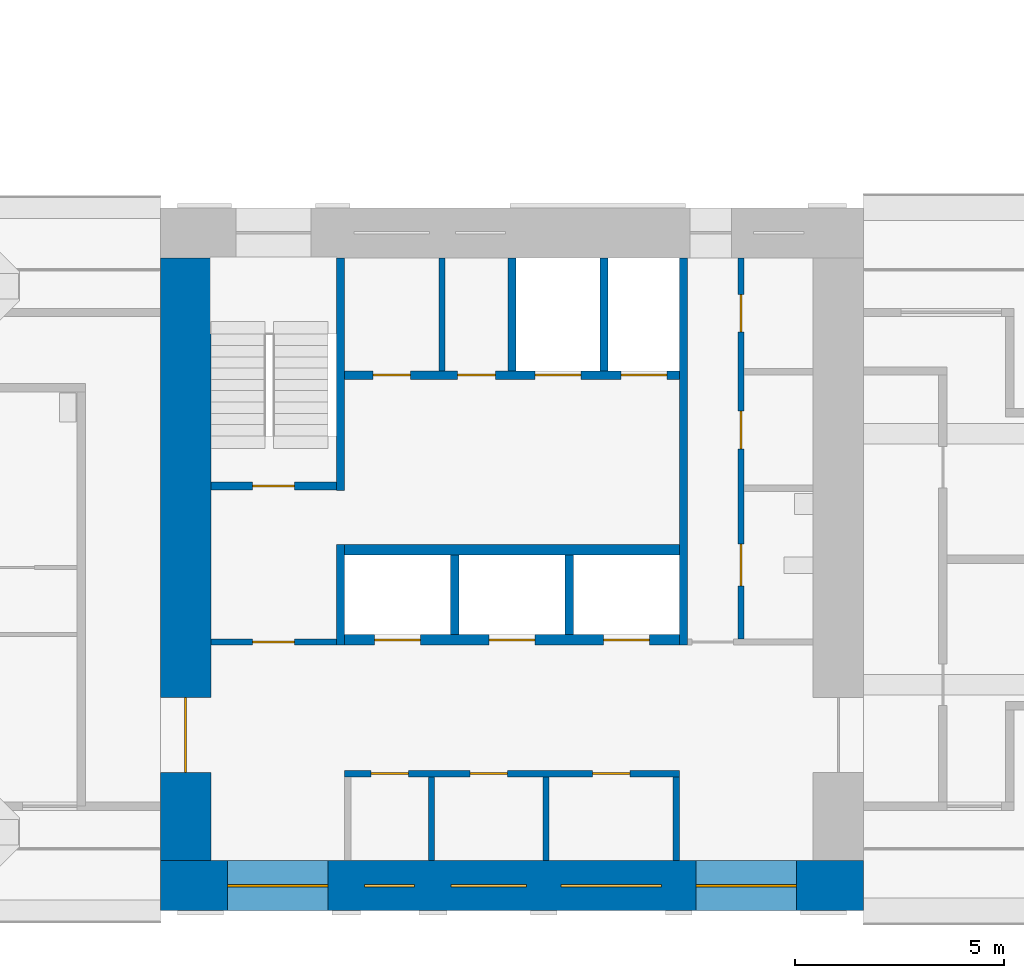
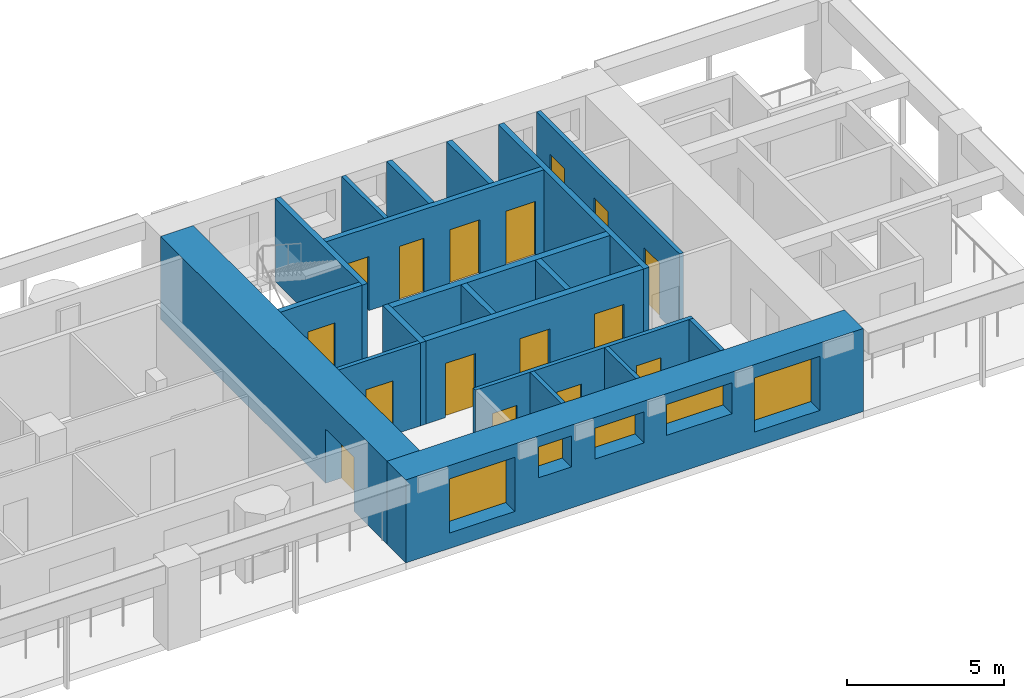
# One storey, part 4 of 13: 20 walls, 16 doors, 5 windows, 21 openings.
"""IFC4 building model written with IfcOpenShell, lengths in metres."""

from ifc_helpers import new_model, si_unit, direction, frame, frame_2d, origin, place, context, subcontext, project, spatial, rectangle, extrude, material, layer, layer_set, type_object, element, fill, save


model = new_model("IFC4")

# Units and contexts
model_context = context("Model", 3, precision=1e-05, world=origin(), true_north=direction((0.0, 1.0)))
body_context = subcontext(model_context, "Body", "Model", "MODEL_VIEW")
ifc_project = project(units=[si_unit("LENGTHUNIT", "METRE"), si_unit("AREAUNIT", "SQUARE_METRE"), si_unit("VOLUMEUNIT", "CUBIC_METRE"), si_unit("PLANEANGLEUNIT", "RADIAN"), si_unit("MASSUNIT", "GRAM", prefix="KILO")], contexts=[model_context])

# Site, building, storey
site_placement = place(None, origin())
site = spatial("IfcSite", under=ifc_project, at=site_placement, CompositionType="ELEMENT")
building_placement = place(site_placement, origin())
building = spatial("IfcBuilding", under=site, at=building_placement, Name="Vermilion Gate Residences", CompositionType="ELEMENT")
storey_placement = place(building_placement, frame((0.0, 0.0, 154.699951171875)))
storey = spatial("IfcBuildingStorey", under=building, at=storey_placement, Name="L39", CompositionType="ELEMENT", Elevation=154.699951171875)

# Walls
ifc_material_1 = material(Name="Masonry blockwork", Category="masonry")
ifc_layer_1 = layer(ifc_material_1, 0.14990234375)
ifc_layer_set_1 = layer_set([ifc_layer_1], Name="BLOCKWORK PARTITION 150 EI 120")
wall_type_1 = type_object("IfcWallType", Name="BLOCKWORK PARTITION 150 EI 120", PredefinedType="PARTITIONING", material=ifc_layer_set_1)
for number, where, z_axis, x_axis, name in (
    (1, (54.324951171875, 9.60009765625, 0.0), (0.0, 0.0, 1.0), (0.0, 1.0, 0.0), "Core room partition A39-RW-E"),
    (2, (48.47509765625, 9.60009765625, 0.0), (0.0, 0.0, 1.0), (0.0, 1.0, 0.0), "Core room partition A39-SR-P0"),
    (3, (51.215087890625, 9.60009765625, 0.0), (0.0, 0.0, 1.0), (0.0, 1.0, 0.0), "Core room partition A39-SR-P1"),
):
    element("IfcWall", number, at=place(storey_placement, frame(where, z_axis=z_axis, x_axis=x_axis)), inside=storey, type_object=wall_type_1, Name=name, PredefinedType="PARTITIONING", context=body_context, shape_type="SweptSolid", body=[
        extrude(rectangle(XDim=2.0, YDim=0.14990234375, at=frame_2d((1.0, 0.0))), origin(), (0.0, 0.0, 1.0), 3.219970703125),
    ])

# Wall, openings, doors
wall_1_placement = place(storey_placement, frame((46.39990234375, 11.675048828125, 0.0), z_axis=(0.0, 0.0, 1.0), x_axis=(1.0, 0.0, 0.0)))
wall_1 = element("IfcWall", 4, at=wall_1_placement, inside=storey, type_object=wall_type_1, Name="Core room partition A39-LR-F", PredefinedType="PARTITIONING", context=body_context, shape_type="SweptSolid", body=[
    extrude(rectangle(XDim=8.0, YDim=0.14990234375, at=frame_2d((4.0, 0.0))), origin(), (0.0, 0.0, 1.0), 3.219970703125),
])
opening_1_placement = place(wall_1_placement, frame((0.625, 0.0, 0.0)))
opening_1 = element("IfcOpeningElement", 5, at=opening_1_placement, cuts=wall_1, Name="Opening DK39003", PredefinedType="OPENING", context=body_context, shape_type="SweptSolid", body=[
    extrude(rectangle(XDim=0.89990234375, YDim=2.10009765625, at=frame_2d((0.449951171875, 1.050048828125))), frame((0.0, 0.0849609375, 0.0), z_axis=(0.0, -1.0, 0.0), x_axis=(1.0, 0.0, 0.0)), (0.0, 0.0, 1.0), 0.169921875),
])
opening_2_placement = place(wall_1_placement, frame((2.9951171875, 0.0, 0.0)))
opening_2 = element("IfcOpeningElement", 6, at=opening_2_placement, cuts=wall_1, Name="Opening DK39004", PredefinedType="OPENING", context=body_context, shape_type="SweptSolid", body=[
    extrude(rectangle(XDim=0.89990234375, YDim=2.10009765625, at=frame_2d((0.449951171875, 1.050048828125))), frame((0.0, 0.0849609375, 0.0), z_axis=(0.0, -1.0, 0.0), x_axis=(1.0, 0.0, 0.0)), (0.0, 0.0, 1.0), 0.169921875),
])
opening_3_placement = place(wall_1_placement, frame((5.919921875, 0.0, 0.0)))
opening_3 = element("IfcOpeningElement", 7, at=opening_3_placement, cuts=wall_1, Name="Opening DK39005", PredefinedType="OPENING", context=body_context, shape_type="SweptSolid", body=[
    extrude(rectangle(XDim=0.89990234375, YDim=2.10009765625, at=frame_2d((0.449951171875, 1.050048828125))), frame((0.0, 0.0849609375, 0.0), z_axis=(0.0, -1.0, 0.0), x_axis=(1.0, 0.0, 0.0)), (0.0, 0.0, 1.0), 0.169921875),
])
ifc_material_2 = material(Name="Steel", Category="steel")
door_type_1 = type_object("IfcDoorType", Name="SERVICE ROOM DOOR FD60 900 X 2100", OperationType="SINGLE_SWING_LEFT", PredefinedType="DOOR", material=ifc_material_2)
door_1_placement = place(opening_1_placement, origin())
door_1 = element("IfcDoor", 8, at=door_1_placement, inside=storey, type_object=door_type_1, Name="Electrical room A39", OperationType="SINGLE_SWING_LEFT", OverallHeight=2.10009765625, OverallWidth=0.89990234375, PredefinedType="DOOR", context=body_context, shape_type="SweptSolid", body=[
    extrude(rectangle(XDim=0.89990234375, YDim=2.10009765625, at=frame_2d((0.449951171875, 1.050048828125))), frame((0.0, 0.02490234375, 0.0), z_axis=(0.0, -1.0, 0.0), x_axis=(1.0, 0.0, 0.0)), (0.0, 0.0, 1.0), 0.050048828125),
])
fill(opening_1, door_1)
door_2_placement = place(opening_2_placement, frame((0.89990234375, 0.0, 0.0), z_axis=(0.0, 0.0, 1.0), x_axis=(-1.0, 0.0, 0.0)))
door_2 = element("IfcDoor", 9, at=door_2_placement, inside=storey, type_object=door_type_1, Name="Communications room A39", OperationType="SINGLE_SWING_RIGHT", OverallHeight=2.10009765625, OverallWidth=0.89990234375, PredefinedType="DOOR", context=body_context, shape_type="SweptSolid", body=[
    extrude(rectangle(XDim=0.89990234375, YDim=2.10009765625, at=frame_2d((0.449951171875, 1.050048828125))), frame((0.0, 0.02490234375, 0.0), z_axis=(0.0, -1.0, 0.0), x_axis=(1.0, 0.0, 0.0)), (0.0, 0.0, 1.0), 0.050048828125),
])
fill(opening_2, door_2)
door_3_placement = place(opening_3_placement, frame((0.89990234375, 0.0, 0.0), z_axis=(0.0, 0.0, 1.0), x_axis=(-1.0, 0.0, 0.0)))
door_3 = element("IfcDoor", 10, at=door_3_placement, inside=storey, type_object=door_type_1, Name="Refuse room A39", OperationType="SINGLE_SWING_RIGHT", OverallHeight=2.10009765625, OverallWidth=0.89990234375, PredefinedType="DOOR", context=body_context, shape_type="SweptSolid", body=[
    extrude(rectangle(XDim=0.89990234375, YDim=2.10009765625, at=frame_2d((0.449951171875, 1.050048828125))), frame((0.0, 0.02490234375, 0.0), z_axis=(0.0, -1.0, 0.0), x_axis=(1.0, 0.0, 0.0)), (0.0, 0.0, 1.0), 0.050048828125),
])
fill(opening_3, door_3)

# Wall
wall_2_placement = place(storey_placement, frame((48.72509765625, 21.300048828125, 0.0), z_axis=(0.0, 0.0, 1.0), x_axis=(0.0, 1.0, 0.0)))
element("IfcWall", 11, at=wall_2_placement, inside=storey, type_object=wall_type_1, Name="Core room partition A39-NR-P0", PredefinedType="PARTITIONING", context=body_context, shape_type="SweptSolid", body=[
    extrude(rectangle(XDim=2.699951171875, YDim=0.14990234375, at=frame_2d((1.35009765625, 0.0))), origin(), (0.0, 0.0, 1.0), 3.219970703125),
])

# Wall, opening, door
wall_3_placement = place(storey_placement, frame((43.199951171875, 14.824951171875, 0.0), z_axis=(0.0, 0.0, 1.0), x_axis=(1.0, 0.0, 0.0)))
wall_3 = element("IfcWall", 12, at=wall_3_placement, inside=storey, type_object=wall_type_1, Name="Core room partition A39-VW-S", PredefinedType="PARTITIONING", context=body_context, shape_type="SweptSolid", body=[
    extrude(rectangle(XDim=3.0, YDim=0.14990234375, at=frame_2d((1.5, 0.0))), origin(), (0.0, 0.0, 1.0), 3.219970703125),
])
opening_4_placement = place(wall_3_placement, frame((1.0, 0.0, 0.0)))
opening_4 = element("IfcOpeningElement", 13, at=opening_4_placement, cuts=wall_3, Name="Opening DK39013", PredefinedType="OPENING", context=body_context, shape_type="SweptSolid", body=[
    extrude(rectangle(XDim=1.0, YDim=2.10009765625, at=frame_2d((0.5, 1.050048828125))), frame((0.0, 0.0849609375, 0.0), z_axis=(0.0, -1.0, 0.0), x_axis=(1.0, 0.0, 0.0)), (0.0, 0.0, 1.0), 0.169921875),
])
ifc_material_3 = material(Name="Steel", Category="steel")
door_type_2 = type_object("IfcDoorType", Name="FIRE DOOR FD60 1000 X 2100", OperationType="SINGLE_SWING_LEFT", PredefinedType="DOOR", material=ifc_material_3)
door_4_placement = place(opening_4_placement, frame((1.0, 0.0, 0.0), z_axis=(0.0, 0.0, 1.0), x_axis=(-1.0, 0.0, 0.0)))
door_4 = element("IfcDoor", 14, at=door_4_placement, inside=storey, type_object=door_type_2, Name="Stair vestibule door A39", OperationType="SINGLE_SWING_RIGHT", OverallHeight=2.10009765625, OverallWidth=1.0, PredefinedType="DOOR", context=body_context, shape_type="SweptSolid", body=[
    extrude(rectangle(XDim=1.0, YDim=2.10009765625, at=frame_2d((0.5, 1.050048828125))), frame((0.0, 0.02490234375, 0.0), z_axis=(0.0, -1.0, 0.0), x_axis=(1.0, 0.0, 0.0)), (0.0, 0.0, 1.0), 0.050048828125),
])
fill(opening_4, door_4)

# Wall, openings, doors
wall_4_placement = place(storey_placement, frame((55.875, 14.89990234375, 0.0), z_axis=(0.0, 0.0, 1.0), x_axis=(0.0, 1.0, 0.0)))
wall_4 = element("IfcWall", 15, at=wall_4_placement, inside=storey, type_object=wall_type_1, Name="Core room partition A39-ES-W", PredefinedType="PARTITIONING", context=body_context, shape_type="SweptSolid", body=[
    extrude(rectangle(XDim=9.10009765625, YDim=0.14990234375, at=frame_2d((4.550048828125, 0.0))), origin(), (0.0, 0.0, 1.0), 3.219970703125),
])
opening_5_placement = place(wall_4_placement, frame((1.260009765625, 0.0, 0.0)))
opening_5 = element("IfcOpeningElement", 16, at=opening_5_placement, cuts=wall_4, Name="Opening DK39016", PredefinedType="OPENING", context=body_context, shape_type="SweptSolid", body=[
    extrude(rectangle(XDim=1.0, YDim=2.10009765625, at=frame_2d((0.5, 1.050048828125))), frame((0.0, 0.0849609375, 0.0), z_axis=(0.0, -1.0, 0.0), x_axis=(1.0, 0.0, 0.0)), (0.0, 0.0, 1.0), 0.169921875),
])
opening_6_placement = place(wall_4_placement, frame((4.5400390625, 0.0, 0.0)))
opening_6 = element("IfcOpeningElement", 17, at=opening_6_placement, cuts=wall_4, Name="Opening DK39017", PredefinedType="OPENING", context=body_context, shape_type="SweptSolid", body=[
    extrude(rectangle(XDim=0.89990234375, YDim=2.10009765625, at=frame_2d((0.449951171875, 1.050048828125))), frame((0.0, 0.0849609375, 0.0), z_axis=(0.0, -1.0, 0.0), x_axis=(1.0, 0.0, 0.0)), (0.0, 0.0, 1.0), 0.169921875),
])
opening_7_placement = place(wall_4_placement, frame((7.330078125, 0.0, 0.0)))
opening_7 = element("IfcOpeningElement", 18, at=opening_7_placement, cuts=wall_4, Name="Opening DK39018", PredefinedType="OPENING", context=body_context, shape_type="SweptSolid", body=[
    extrude(rectangle(XDim=0.89990234375, YDim=2.10009765625, at=frame_2d((0.449951171875, 1.050048828125))), frame((0.0, 0.0849609375, 0.0), z_axis=(0.0, -1.0, 0.0), x_axis=(1.0, 0.0, 0.0)), (0.0, 0.0, 1.0), 0.169921875),
])
door_5_placement = place(opening_5_placement, frame((1.0, 0.0, 0.0), z_axis=(0.0, 0.0, 1.0), x_axis=(-1.0, 0.0, 0.0)))
door_5 = element("IfcDoor", 19, at=door_5_placement, inside=storey, type_object=door_type_2, Name="Accessible WC A39", OperationType="SINGLE_SWING_RIGHT", OverallHeight=2.10009765625, OverallWidth=1.0, PredefinedType="DOOR", context=body_context, shape_type="SweptSolid", body=[
    extrude(rectangle(XDim=1.0, YDim=2.10009765625, at=frame_2d((0.5, 1.050048828125))), frame((0.0, 0.02490234375, 0.0), z_axis=(0.0, -1.0, 0.0), x_axis=(1.0, 0.0, 0.0)), (0.0, 0.0, 1.0), 0.050048828125),
])
fill(opening_5, door_5)
door_6_placement = place(opening_6_placement, frame((0.89990234375, 0.0, 0.0), z_axis=(0.0, 0.0, 1.0), x_axis=(-1.0, 0.0, 0.0)))
door_6 = element("IfcDoor", 20, at=door_6_placement, inside=storey, type_object=door_type_1, Name="Refuse room A39", OperationType="SINGLE_SWING_RIGHT", OverallHeight=2.10009765625, OverallWidth=0.89990234375, PredefinedType="DOOR", context=body_context, shape_type="SweptSolid", body=[
    extrude(rectangle(XDim=0.89990234375, YDim=2.10009765625, at=frame_2d((0.449951171875, 1.050048828125))), frame((0.0, 0.02490234375, 0.0), z_axis=(0.0, -1.0, 0.0), x_axis=(1.0, 0.0, 0.0)), (0.0, 0.0, 1.0), 0.050048828125),
])
fill(opening_6, door_6)
door_7_placement = place(opening_7_placement, frame((0.89990234375, 0.0, 0.0), z_axis=(0.0, 0.0, 1.0), x_axis=(-1.0, 0.0, 0.0)))
door_7 = element("IfcDoor", 21, at=door_7_placement, inside=storey, type_object=door_type_1, Name="Parcel room A39", OperationType="SINGLE_SWING_LEFT", OverallHeight=2.10009765625, OverallWidth=0.89990234375, PredefinedType="DOOR", context=body_context, shape_type="SweptSolid", body=[
    extrude(rectangle(XDim=0.89990234375, YDim=2.10009765625, at=frame_2d((0.449951171875, 1.050048828125))), frame((0.0, 0.02490234375, 0.0), z_axis=(0.0, -1.0, 0.0), x_axis=(1.0, 0.0, 0.0)), (0.0, 0.0, 1.0), 0.050048828125),
])
fill(opening_7, door_7)

# Walls
ifc_material_4 = material(Name="Concrete C60", Category="concrete")
ifc_layer_2 = layer(ifc_material_4, 0.199951171875)
ifc_layer_set_2 = layer_set([ifc_layer_2], Name="RC CORE INTERNAL WALL 200 C60")
wall_type_2 = type_object("IfcWallType", Name="RC CORE INTERNAL WALL 200 C60", PredefinedType="SHEAR", material=ifc_layer_set_2)
for number, where, z_axis, x_axis, name in (
    (22, (49.033447265625, 15.0, 0.0), (0.0, 0.0, 1.0), (0.0, 1.0, 0.0), "Core internal wall A39-HR-D1"),
    (23, (51.7666015625, 15.0, 0.0), (0.0, 0.0, 1.0), (0.0, 1.0, 0.0), "Core internal wall A39-HR-D2"),
):
    element("IfcWall", number, at=place(storey_placement, frame(where, z_axis=z_axis, x_axis=x_axis)), inside=storey, type_object=wall_type_2, Name=name, PredefinedType="SHEAR", context=body_context, shape_type="SweptSolid", body=[
        extrude(rectangle(XDim=1.89990234375, YDim=0.199951171875, at=frame_2d((0.949951171875, 0.0))), origin(), (0.0, 0.0, 1.0), 3.219970703125),
    ])
for number, where, z_axis, x_axis, name in (
    (24, (50.39990234375, 21.300048828125, 0.0), (0.0, 0.0, 1.0), (0.0, 1.0, 0.0), "Core internal wall A39-FF-D0"),
    (25, (52.60009765625, 21.300048828125, 0.0), (0.0, 0.0, 1.0), (0.0, 1.0, 0.0), "Core internal wall A39-FF-D1"),
):
    element("IfcWall", number, at=place(storey_placement, frame(where, z_axis=z_axis, x_axis=x_axis)), inside=storey, type_object=wall_type_2, Name=name, PredefinedType="SHEAR", context=body_context, shape_type="SweptSolid", body=[
        extrude(rectangle(XDim=2.699951171875, YDim=0.199951171875, at=frame_2d((1.35009765625, 0.0))), origin(), (0.0, 0.0, 1.0), 3.219970703125),
    ])

# Wall, openings, doors
wall_5_placement = place(storey_placement, frame((46.39990234375, 21.199951171875, 0.0), z_axis=(0.0, 0.0, 1.0), x_axis=(1.0, 0.0, 0.0)))
wall_5 = element("IfcWall", 26, at=wall_5_placement, inside=storey, type_object=wall_type_2, Name="Core internal wall A39-FF-F", PredefinedType="SHEAR", context=body_context, shape_type="SweptSolid", body=[
    extrude(rectangle(XDim=8.0, YDim=0.199951171875, at=frame_2d((4.0, 0.0))), origin(), (0.0, 0.0, 1.0), 3.219970703125),
])
opening_8_placement = place(wall_5_placement, frame((0.675048828125, 0.0, 0.0)))
opening_8 = element("IfcOpeningElement", 27, at=opening_8_placement, cuts=wall_5, Name="Opening DK39009", PredefinedType="OPENING", context=body_context, shape_type="SweptSolid", body=[
    extrude(rectangle(XDim=0.89990234375, YDim=2.10009765625, at=frame_2d((0.449951171875, 1.050048828125))), frame((0.0, 0.10986328125, 0.0), z_axis=(0.0, -1.0, 0.0), x_axis=(1.0, 0.0, 0.0)), (0.0, 0.0, 1.0), 0.219970703125),
])
opening_9_placement = place(wall_5_placement, frame((2.699951171875, 0.0, 0.0)))
opening_9 = element("IfcOpeningElement", 28, at=opening_9_placement, cuts=wall_5, Name="Opening DK39010", PredefinedType="OPENING", context=body_context, shape_type="SweptSolid", body=[
    extrude(rectangle(XDim=0.89990234375, YDim=2.10009765625, at=frame_2d((0.449951171875, 1.050048828125))), frame((0.0, 0.10986328125, 0.0), z_axis=(0.0, -1.0, 0.0), x_axis=(1.0, 0.0, 0.0)), (0.0, 0.0, 1.0), 0.219970703125),
])
opening_10_placement = place(wall_5_placement, frame((4.550048828125, 0.0, 0.0)))
opening_10 = element("IfcOpeningElement", 29, at=opening_10_placement, cuts=wall_5, Name="Opening LD", PredefinedType="OPENING", context=body_context, shape_type="SweptSolid", body=[
    extrude(rectangle(XDim=1.10009765625, YDim=2.10009765625, at=frame_2d((0.550048828125, 1.050048828125))), frame((0.0, 0.10986328125, 0.0), z_axis=(0.0, -1.0, 0.0), x_axis=(1.0, 0.0, 0.0)), (0.0, 0.0, 1.0), 0.219970703125),
])
opening_11_placement = place(wall_5_placement, frame((6.60009765625, 0.0, 0.0)))
opening_11 = element("IfcOpeningElement", 30, at=opening_11_placement, cuts=wall_5, Name="Opening LD", PredefinedType="OPENING", context=body_context, shape_type="SweptSolid", body=[
    extrude(rectangle(XDim=1.10009765625, YDim=2.10009765625, at=frame_2d((0.550048828125, 1.050048828125))), frame((0.0, 0.10986328125, 0.0), z_axis=(0.0, -1.0, 0.0), x_axis=(1.0, 0.0, 0.0)), (0.0, 0.0, 1.0), 0.219970703125),
])
ifc_material_5 = material(Name="Stainless steel", Category="steel")
door_type_3 = type_object("IfcDoorType", Name="LIFT LANDING DOOR E60 1100 X 2100", OperationType="DOUBLE_DOOR_SLIDING", PredefinedType="DOOR", material=ifc_material_5)
door_8_placement = place(opening_10_placement, origin())
door_8 = element("IfcDoor", 31, at=door_8_placement, inside=storey, type_object=door_type_3, Name="Lift landing door LFA1", OperationType="DOUBLE_DOOR_SLIDING", OverallHeight=2.10009765625, OverallWidth=1.10009765625, PredefinedType="DOOR", context=body_context, shape_type="SweptSolid", body=[
    extrude(rectangle(XDim=1.10009765625, YDim=2.10009765625, at=frame_2d((0.550048828125, 1.050048828125))), frame((0.0, 0.02490234375, 0.0), z_axis=(0.0, -1.0, 0.0), x_axis=(1.0, 0.0, 0.0)), (0.0, 0.0, 1.0), 0.050048828125),
])
fill(opening_10, door_8)
door_9_placement = place(opening_11_placement, origin())
door_9 = element("IfcDoor", 32, at=door_9_placement, inside=storey, type_object=door_type_3, Name="Lift landing door LCA1", OperationType="DOUBLE_DOOR_SLIDING", OverallHeight=2.10009765625, OverallWidth=1.10009765625, PredefinedType="DOOR", context=body_context, shape_type="SweptSolid", body=[
    extrude(rectangle(XDim=1.10009765625, YDim=2.10009765625, at=frame_2d((0.550048828125, 1.050048828125))), frame((0.0, 0.02490234375, 0.0), z_axis=(0.0, -1.0, 0.0), x_axis=(1.0, 0.0, 0.0)), (0.0, 0.0, 1.0), 0.050048828125),
])
fill(opening_11, door_9)
door_10_placement = place(opening_8_placement, origin())
door_10 = element("IfcDoor", 33, at=door_10_placement, inside=storey, type_object=door_type_1, Name="Electrical riser A39", OperationType="SINGLE_SWING_LEFT", OverallHeight=2.10009765625, OverallWidth=0.89990234375, PredefinedType="DOOR", context=body_context, shape_type="SweptSolid", body=[
    extrude(rectangle(XDim=0.89990234375, YDim=2.10009765625, at=frame_2d((0.449951171875, 1.050048828125))), frame((0.0, 0.02490234375, 0.0), z_axis=(0.0, -1.0, 0.0), x_axis=(1.0, 0.0, 0.0)), (0.0, 0.0, 1.0), 0.050048828125),
])
fill(opening_8, door_10)
door_11_placement = place(opening_9_placement, origin())
door_11 = element("IfcDoor", 34, at=door_11_placement, inside=storey, type_object=door_type_1, Name="Cleaner's store A39", OperationType="SINGLE_SWING_LEFT", OverallHeight=2.10009765625, OverallWidth=0.89990234375, PredefinedType="DOOR", context=body_context, shape_type="SweptSolid", body=[
    extrude(rectangle(XDim=0.89990234375, YDim=2.10009765625, at=frame_2d((0.449951171875, 1.050048828125))), frame((0.0, 0.02490234375, 0.0), z_axis=(0.0, -1.0, 0.0), x_axis=(1.0, 0.0, 0.0)), (0.0, 0.0, 1.0), 0.050048828125),
])
fill(opening_9, door_11)

# Walls
wall_6_placement = place(storey_placement, frame((46.300048828125, 14.75, 0.0), z_axis=(0.0, 0.0, 1.0), x_axis=(0.0, 1.0, 0.0)))
element("IfcWall", 35, at=wall_6_placement, inside=storey, type_object=wall_type_2, Name="Core internal wall A39-WDIV1", PredefinedType="SHEAR", context=body_context, shape_type="SweptSolid", body=[
    extrude(rectangle(XDim=2.39990234375, YDim=0.199951171875, at=frame_2d((1.199951171875, 0.0))), origin(), (0.0, 0.0, 1.0), 3.219970703125),
])
wall_7_placement = place(storey_placement, frame((46.300048828125, 18.449951171875, 0.0), z_axis=(0.0, 0.0, 1.0), x_axis=(0.0, 1.0, 0.0)))
element("IfcWall", 36, at=wall_7_placement, inside=storey, type_object=wall_type_2, Name="Core internal wall A39-WDIV2", PredefinedType="SHEAR", context=body_context, shape_type="SweptSolid", body=[
    extrude(rectangle(XDim=5.550048828125, YDim=0.199951171875, at=frame_2d((2.77490234375, 0.0))), origin(), (0.0, 0.0, 1.0), 3.219970703125),
])

# Wall, opening, door
wall_8_placement = place(storey_placement, frame((43.199951171875, 18.550048828125, 0.0), z_axis=(0.0, 0.0, 1.0), x_axis=(1.0, 0.0, 0.0)))
wall_8 = element("IfcWall", 37, at=wall_8_placement, inside=storey, type_object=wall_type_2, Name="Core internal wall A39-STW-S", PredefinedType="SHEAR", context=body_context, shape_type="SweptSolid", body=[
    extrude(rectangle(XDim=3.0, YDim=0.199951171875, at=frame_2d((1.5, 0.0))), origin(), (0.0, 0.0, 1.0), 3.219970703125),
])
opening_12_placement = place(wall_8_placement, frame((1.0, 0.0, 0.0)))
opening_12 = element("IfcOpeningElement", 38, at=opening_12_placement, cuts=wall_8, Name="Opening DK39014", PredefinedType="OPENING", context=body_context, shape_type="SweptSolid", body=[
    extrude(rectangle(XDim=1.0, YDim=2.10009765625, at=frame_2d((0.5, 1.050048828125))), frame((0.0, 0.10986328125, 0.0), z_axis=(0.0, -1.0, 0.0), x_axis=(1.0, 0.0, 0.0)), (0.0, 0.0, 1.0), 0.219970703125),
])
door_12_placement = place(opening_12_placement, origin())
door_12 = element("IfcDoor", 39, at=door_12_placement, inside=storey, type_object=door_type_2, Name="Stair door A39", OperationType="SINGLE_SWING_LEFT", OverallHeight=2.10009765625, OverallWidth=1.0, PredefinedType="DOOR", context=body_context, shape_type="SweptSolid", body=[
    extrude(rectangle(XDim=1.0, YDim=2.10009765625, at=frame_2d((0.5, 1.050048828125))), frame((0.0, 0.02490234375, 0.0), z_axis=(0.0, -1.0, 0.0), x_axis=(1.0, 0.0, 0.0)), (0.0, 0.0, 1.0), 0.050048828125),
])
fill(opening_12, door_12)

# Wall
wall_9_placement = place(storey_placement, frame((54.5, 14.75, 0.0), z_axis=(0.0, 0.0, 1.0), x_axis=(0.0, 1.0, 0.0)))
element("IfcWall", 40, at=wall_9_placement, inside=storey, type_object=wall_type_2, Name="Core internal wall A39-EDIV", PredefinedType="SHEAR", context=body_context, shape_type="SweptSolid", body=[
    extrude(rectangle(XDim=9.25, YDim=0.199951171875, at=frame_2d((4.625, 0.0))), origin(), (0.0, 0.0, 1.0), 3.219970703125),
])

# Wall, opening, door
ifc_material_6 = material(Name="Concrete C60", Category="concrete")
ifc_layer_3 = layer(ifc_material_6, 1.199951171875)
ifc_layer_set_3 = layer_set([ifc_layer_3], Name="RC CORE WALL 1200 C60")
wall_type_3 = type_object("IfcWallType", Name="RC CORE WALL 1200 C60", PredefinedType="SHEAR", material=ifc_layer_set_3)
wall_10_placement = place(storey_placement, frame((42.60009765625, 9.60009765625, 0.0), z_axis=(0.0, 0.0, 1.0), x_axis=(0.0, 1.0, 0.0)))
wall_10 = element("IfcWall", 41, at=wall_10_placement, inside=storey, type_object=wall_type_3, Name="Core wall A39-OUT-FR", PredefinedType="SHEAR", context=body_context, shape_type="SweptSolid", body=[
    extrude(rectangle(XDim=14.39990234375, YDim=1.199951171875, at=frame_2d((7.199951171875, 0.0))), origin(), (0.0, 0.0, 1.0), 3.219970703125),
])
opening_13_placement = place(wall_10_placement, frame((2.10009765625, 0.0, 0.0)))
opening_13 = element("IfcOpeningElement", 42, at=opening_13_placement, cuts=wall_10, Name="Opening DK39001", PredefinedType="OPENING", context=body_context, shape_type="SweptSolid", body=[
    extrude(rectangle(XDim=1.800048828125, YDim=2.10009765625, at=frame_2d((0.89990234375, 1.050048828125))), frame((0.0, 0.60986328125, 0.0), z_axis=(0.0, -1.0, 0.0), x_axis=(1.0, 0.0, 0.0)), (0.0, 0.0, 1.0), 1.219970703125),
])
ifc_material_7 = material(Name="Steel", Category="steel")
door_type_4 = type_object("IfcDoorType", Name="CORE LOBBY DOOR FD60 1800 X 2100", OperationType="DOUBLE_DOOR_SINGLE_SWING", PredefinedType="DOOR", material=ifc_material_7)
door_13_placement = place(opening_13_placement, frame((1.800048828125, 0.0, 0.0), z_axis=(0.0, 0.0, 1.0), x_axis=(-1.0, 0.0, 0.0)))
door_13 = element("IfcDoor", 43, at=door_13_placement, inside=storey, type_object=door_type_4, Name="Core lobby door A39", OperationType="DOUBLE_DOOR_SINGLE_SWING", OverallHeight=2.10009765625, OverallWidth=1.800048828125, PredefinedType="DOOR", context=body_context, shape_type="SweptSolid", body=[
    extrude(rectangle(XDim=1.800048828125, YDim=2.10009765625, at=frame_2d((0.89990234375, 1.050048828125))), frame((0.0, 0.02490234375, 0.0), z_axis=(0.0, -1.0, 0.0), x_axis=(1.0, 0.0, 0.0)), (0.0, 0.0, 1.0), 0.050048828125),
])
fill(opening_13, door_13)

# Wall, openings, windows
ifc_material_8 = material(Name="Concrete C60 red-oxide pigmented", Category="concrete")
ifc_layer_4 = layer(ifc_material_8, 1.199951171875)
ifc_layer_set_4 = layer_set([ifc_layer_4], Name="RC CORE WALL 1200 C60 RED OXIDE")
wall_type_4 = type_object("IfcWallType", Name="RC CORE WALL 1200 C60 RED OXIDE", PredefinedType="SHEAR", material=ifc_layer_set_4)
wall_11_placement = place(storey_placement, frame((42.0, 9.0, 0.0), z_axis=(0.0, 0.0, 1.0), x_axis=(1.0, 0.0, 0.0)))
wall_11 = element("IfcWall", 44, at=wall_11_placement, inside=storey, type_object=wall_type_4, Name="Core wall A39-OUT-B0", PredefinedType="SHEAR", context=body_context, shape_type="SweptSolid", body=[
    extrude(rectangle(XDim=16.800048828125, YDim=1.199951171875, at=frame_2d((8.39990234375, 0.0))), origin(), (0.0, 0.0, 1.0), 3.219970703125),
])
opening_14_placement = place(wall_11_placement, frame((1.60009765625, 0.0, 0.60009765625)))
opening_14 = element("IfcOpeningElement", 45, at=opening_14_placement, cuts=wall_11, Name="Opening WKA3901", PredefinedType="OPENING", context=body_context, shape_type="SweptSolid", body=[
    extrude(rectangle(XDim=2.39990234375, YDim=2.10009765625, at=frame_2d((1.199951171875, 1.050048828125))), frame((0.0, 0.60986328125, 0.0), z_axis=(0.0, -1.0, 0.0), x_axis=(1.0, 0.0, 0.0)), (0.0, 0.0, 1.0), 1.219970703125),
])
opening_15_placement = place(wall_11_placement, frame((4.875, 0.0, 1.60009765625)))
opening_15 = element("IfcOpeningElement", 46, at=opening_15_placement, cuts=wall_11, Name="Opening WKA3902", PredefinedType="OPENING", context=body_context, shape_type="SweptSolid", body=[
    extrude(rectangle(XDim=1.199951171875, YDim=1.199951171875, at=frame_2d((0.60009765625, 0.60009765625))), frame((0.0, 0.60986328125, 0.0), z_axis=(0.0, -1.0, 0.0), x_axis=(1.0, 0.0, 0.0)), (0.0, 0.0, 1.0), 1.219970703125),
])
opening_16_placement = place(wall_11_placement, frame((6.945068359375, 0.0, 1.60009765625)))
opening_16 = element("IfcOpeningElement", 47, at=opening_16_placement, cuts=wall_11, Name="Opening WKA3903", PredefinedType="OPENING", context=body_context, shape_type="SweptSolid", body=[
    extrude(rectangle(XDim=1.800048828125, YDim=1.199951171875, at=frame_2d((0.89990234375, 0.60009765625))), frame((0.0, 0.60986328125, 0.0), z_axis=(0.0, -1.0, 0.0), x_axis=(1.0, 0.0, 0.0)), (0.0, 0.0, 1.0), 1.219970703125),
])
opening_17_placement = place(wall_11_placement, frame((9.570068359375, 0.0, 1.60009765625)))
opening_17 = element("IfcOpeningElement", 48, at=opening_17_placement, cuts=wall_11, Name="Opening WKA3904", PredefinedType="OPENING", context=body_context, shape_type="SweptSolid", body=[
    extrude(rectangle(XDim=2.39990234375, YDim=1.199951171875, at=frame_2d((1.199951171875, 0.60009765625))), frame((0.0, 0.60986328125, 0.0), z_axis=(0.0, -1.0, 0.0), x_axis=(1.0, 0.0, 0.0)), (0.0, 0.0, 1.0), 1.219970703125),
])
opening_18_placement = place(wall_11_placement, frame((12.800048828125, 0.0, 0.60009765625)))
opening_18 = element("IfcOpeningElement", 49, at=opening_18_placement, cuts=wall_11, Name="Opening WKA3905", PredefinedType="OPENING", context=body_context, shape_type="SweptSolid", body=[
    extrude(rectangle(XDim=2.39990234375, YDim=2.10009765625, at=frame_2d((1.199951171875, 1.050048828125))), frame((0.0, 0.60986328125, 0.0), z_axis=(0.0, -1.0, 0.0), x_axis=(1.0, 0.0, 0.0)), (0.0, 0.0, 1.0), 1.219970703125),
])
ifc_material_9 = material(Name="Aluminium and clear glass", Category="aluminium")
window_type_1 = type_object("IfcWindowType", Name="CORE LOBBY WINDOW 2400 X 2100", PartitioningType="SINGLE_PANEL", PredefinedType="WINDOW", material=ifc_material_9)
window_1_placement = place(opening_14_placement, origin())
window_1 = element("IfcWindow", 50, at=window_1_placement, inside=storey, type_object=window_type_1, Name="Core lobby window", OverallHeight=2.10009765625, OverallWidth=2.39990234375, PartitioningType="SINGLE_PANEL", PredefinedType="WINDOW", context=body_context, shape_type="SweptSolid", body=[
    extrude(rectangle(XDim=2.39990234375, YDim=2.10009765625, at=frame_2d((1.199951171875, 1.050048828125))), frame((0.0, 0.030029296875, 0.0), z_axis=(0.0, -1.0, 0.0), x_axis=(1.0, 0.0, 0.0)), (0.0, 0.0, 1.0), 0.06005859375),
])
fill(opening_14, window_1)
window_2_placement = place(opening_18_placement, origin())
window_2 = element("IfcWindow", 51, at=window_2_placement, inside=storey, type_object=window_type_1, Name="Core lobby window", OverallHeight=2.10009765625, OverallWidth=2.39990234375, PartitioningType="SINGLE_PANEL", PredefinedType="WINDOW", context=body_context, shape_type="SweptSolid", body=[
    extrude(rectangle(XDim=2.39990234375, YDim=2.10009765625, at=frame_2d((1.199951171875, 1.050048828125))), frame((0.0, 0.030029296875, 0.0), z_axis=(0.0, -1.0, 0.0), x_axis=(1.0, 0.0, 0.0)), (0.0, 0.0, 1.0), 0.06005859375),
])
fill(opening_18, window_2)
ifc_material_10 = material(Name="Aluminium frame with louvre blades", Category="aluminium")
window_type_2 = type_object("IfcWindowType", Name="CORE LOUVRE 1200 X 1200", PartitioningType="SINGLE_PANEL", PredefinedType="WINDOW", material=ifc_material_10)
window_3_placement = place(opening_15_placement, origin())
window_3 = element("IfcWindow", 52, at=window_3_placement, inside=storey, type_object=window_type_2, Name="Core louvre", OverallHeight=1.199951171875, OverallWidth=1.199951171875, PartitioningType="SINGLE_PANEL", PredefinedType="WINDOW", context=body_context, shape_type="SweptSolid", body=[
    extrude(rectangle(XDim=1.199951171875, YDim=1.199951171875, at=frame_2d((0.60009765625, 0.60009765625))), frame((0.0, 0.030029296875, 0.0), z_axis=(0.0, -1.0, 0.0), x_axis=(1.0, 0.0, 0.0)), (0.0, 0.0, 1.0), 0.06005859375),
])
fill(opening_15, window_3)
ifc_material_11 = material(Name="Aluminium frame with louvre blades", Category="aluminium")
window_type_3 = type_object("IfcWindowType", Name="CORE LOUVRE 1800 X 1200", PartitioningType="SINGLE_PANEL", PredefinedType="WINDOW", material=ifc_material_11)
window_4_placement = place(opening_16_placement, origin())
window_4 = element("IfcWindow", 53, at=window_4_placement, inside=storey, type_object=window_type_3, Name="Core louvre", OverallHeight=1.199951171875, OverallWidth=1.800048828125, PartitioningType="SINGLE_PANEL", PredefinedType="WINDOW", context=body_context, shape_type="SweptSolid", body=[
    extrude(rectangle(XDim=1.800048828125, YDim=1.199951171875, at=frame_2d((0.89990234375, 0.60009765625))), frame((0.0, 0.030029296875, 0.0), z_axis=(0.0, -1.0, 0.0), x_axis=(1.0, 0.0, 0.0)), (0.0, 0.0, 1.0), 0.06005859375),
])
fill(opening_16, window_4)
ifc_material_12 = material(Name="Aluminium frame with louvre blades", Category="aluminium")
window_type_4 = type_object("IfcWindowType", Name="CORE LOUVRE 2400 X 1200", PartitioningType="SINGLE_PANEL", PredefinedType="WINDOW", material=ifc_material_12)
window_5_placement = place(opening_17_placement, origin())
window_5 = element("IfcWindow", 54, at=window_5_placement, inside=storey, type_object=window_type_4, Name="Core louvre", OverallHeight=1.199951171875, OverallWidth=2.39990234375, PartitioningType="SINGLE_PANEL", PredefinedType="WINDOW", context=body_context, shape_type="SweptSolid", body=[
    extrude(rectangle(XDim=2.39990234375, YDim=1.199951171875, at=frame_2d((1.199951171875, 0.60009765625))), frame((0.0, 0.030029296875, 0.0), z_axis=(0.0, -1.0, 0.0), x_axis=(1.0, 0.0, 0.0)), (0.0, 0.0, 1.0), 0.06005859375),
])
fill(opening_17, window_5)

# Wall, openings, doors
ifc_material_13 = material(Name="Concrete C60", Category="concrete")
ifc_layer_5 = layer(ifc_material_13, 0.25)
ifc_layer_set_5 = layer_set([ifc_layer_5], Name="RC LIFT SHAFT WALL 250 C60")
wall_type_5 = type_object("IfcWallType", Name="RC LIFT SHAFT WALL 250 C60", PredefinedType="SHEAR", material=ifc_layer_set_5)
wall_12_placement = place(storey_placement, frame((46.39990234375, 14.875, 0.0), z_axis=(0.0, 0.0, 1.0), x_axis=(1.0, 0.0, 0.0)))
wall_12 = element("IfcWall", 55, at=wall_12_placement, inside=storey, type_object=wall_type_5, Name="Lift shaft wall A39-HR-F", PredefinedType="SHEAR", context=body_context, shape_type="SweptSolid", body=[
    extrude(rectangle(XDim=8.0, YDim=0.25, at=frame_2d((4.0, 0.0))), origin(), (0.0, 0.0, 1.0), 3.219970703125),
])
opening_19_placement = place(wall_12_placement, frame((0.716552734375, 0.0, 0.0)))
opening_19 = element("IfcOpeningElement", 56, at=opening_19_placement, cuts=wall_12, Name="Opening LD", PredefinedType="OPENING", context=body_context, shape_type="SweptSolid", body=[
    extrude(rectangle(XDim=1.10009765625, YDim=2.10009765625, at=frame_2d((0.550048828125, 1.050048828125))), frame((0.0, 0.135009765625, 0.0), z_axis=(0.0, -1.0, 0.0), x_axis=(1.0, 0.0, 0.0)), (0.0, 0.0, 1.0), 0.27001953125),
])
opening_20_placement = place(wall_12_placement, frame((3.449951171875, 0.0, 0.0)))
opening_20 = element("IfcOpeningElement", 57, at=opening_20_placement, cuts=wall_12, Name="Opening LD", PredefinedType="OPENING", context=body_context, shape_type="SweptSolid", body=[
    extrude(rectangle(XDim=1.10009765625, YDim=2.10009765625, at=frame_2d((0.550048828125, 1.050048828125))), frame((0.0, 0.135009765625, 0.0), z_axis=(0.0, -1.0, 0.0), x_axis=(1.0, 0.0, 0.0)), (0.0, 0.0, 1.0), 0.27001953125),
])
opening_21_placement = place(wall_12_placement, frame((6.183349609375, 0.0, 0.0)))
opening_21 = element("IfcOpeningElement", 58, at=opening_21_placement, cuts=wall_12, Name="Opening LD", PredefinedType="OPENING", context=body_context, shape_type="SweptSolid", body=[
    extrude(rectangle(XDim=1.10009765625, YDim=2.10009765625, at=frame_2d((0.550048828125, 1.050048828125))), frame((0.0, 0.135009765625, 0.0), z_axis=(0.0, -1.0, 0.0), x_axis=(1.0, 0.0, 0.0)), (0.0, 0.0, 1.0), 0.27001953125),
])
door_14_placement = place(opening_19_placement, origin())
door_14 = element("IfcDoor", 59, at=door_14_placement, inside=storey, type_object=door_type_3, Name="Lift landing door HRA1", OperationType="DOUBLE_DOOR_SLIDING", OverallHeight=2.10009765625, OverallWidth=1.10009765625, PredefinedType="DOOR", context=body_context, shape_type="SweptSolid", body=[
    extrude(rectangle(XDim=1.10009765625, YDim=2.10009765625, at=frame_2d((0.550048828125, 1.050048828125))), frame((0.0, 0.02490234375, 0.0), z_axis=(0.0, -1.0, 0.0), x_axis=(1.0, 0.0, 0.0)), (0.0, 0.0, 1.0), 0.050048828125),
])
fill(opening_19, door_14)
door_15_placement = place(opening_20_placement, origin())
door_15 = element("IfcDoor", 60, at=door_15_placement, inside=storey, type_object=door_type_3, Name="Lift landing door HRA2", OperationType="DOUBLE_DOOR_SLIDING", OverallHeight=2.10009765625, OverallWidth=1.10009765625, PredefinedType="DOOR", context=body_context, shape_type="SweptSolid", body=[
    extrude(rectangle(XDim=1.10009765625, YDim=2.10009765625, at=frame_2d((0.550048828125, 1.050048828125))), frame((0.0, 0.02490234375, 0.0), z_axis=(0.0, -1.0, 0.0), x_axis=(1.0, 0.0, 0.0)), (0.0, 0.0, 1.0), 0.050048828125),
])
fill(opening_20, door_15)
door_16_placement = place(opening_21_placement, origin())
door_16 = element("IfcDoor", 61, at=door_16_placement, inside=storey, type_object=door_type_3, Name="Lift landing door HRA3", OperationType="DOUBLE_DOOR_SLIDING", OverallHeight=2.10009765625, OverallWidth=1.10009765625, PredefinedType="DOOR", context=body_context, shape_type="SweptSolid", body=[
    extrude(rectangle(XDim=1.10009765625, YDim=2.10009765625, at=frame_2d((0.550048828125, 1.050048828125))), frame((0.0, 0.02490234375, 0.0), z_axis=(0.0, -1.0, 0.0), x_axis=(1.0, 0.0, 0.0)), (0.0, 0.0, 1.0), 0.050048828125),
])
fill(opening_21, door_16)

# Wall
wall_13_placement = place(storey_placement, frame((46.39990234375, 17.02490234375, 0.0), z_axis=(0.0, 0.0, 1.0), x_axis=(1.0, 0.0, 0.0)))
element("IfcWall", 62, at=wall_13_placement, inside=storey, type_object=wall_type_5, Name="Lift shaft wall A39-HR-B", PredefinedType="SHEAR", context=body_context, shape_type="SweptSolid", body=[
    extrude(rectangle(XDim=8.0, YDim=0.25, at=frame_2d((4.0, 0.0))), origin(), (0.0, 0.0, 1.0), 3.219970703125),
])

save(model, "model.ifc")
